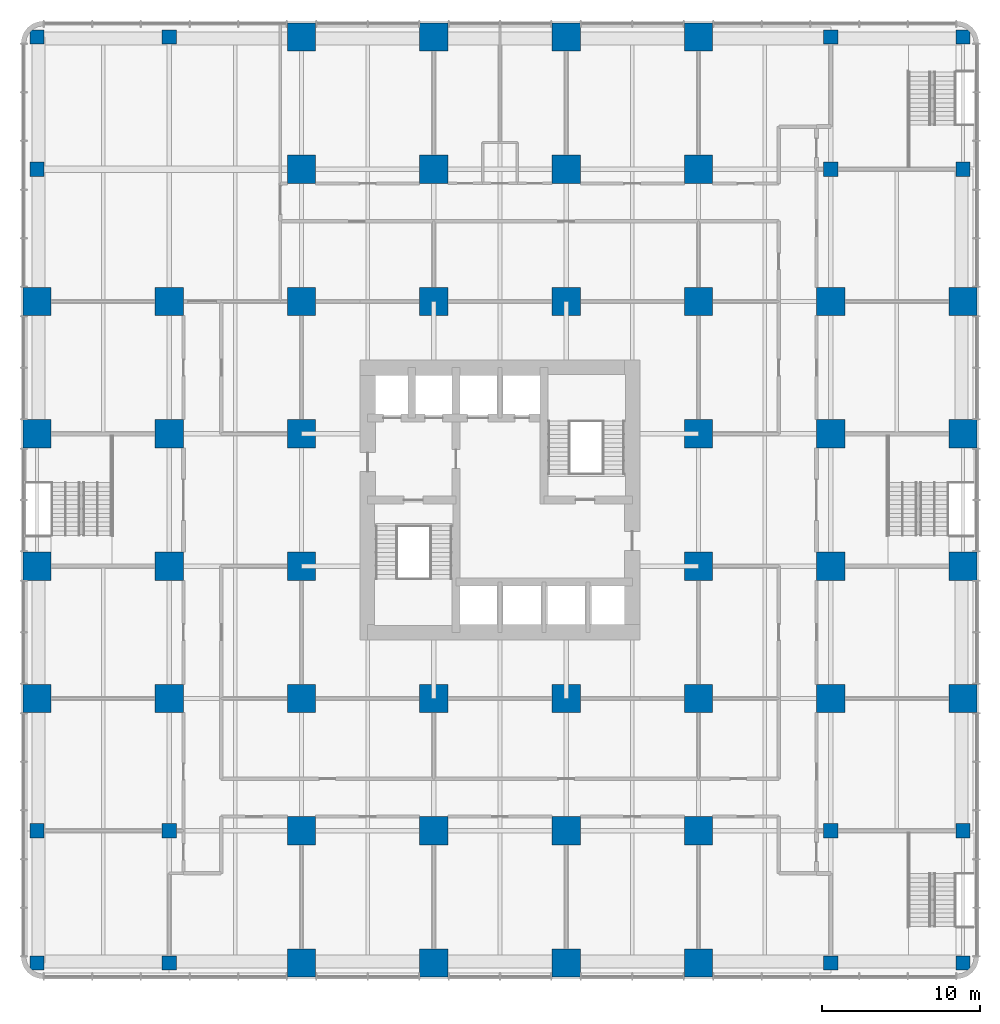
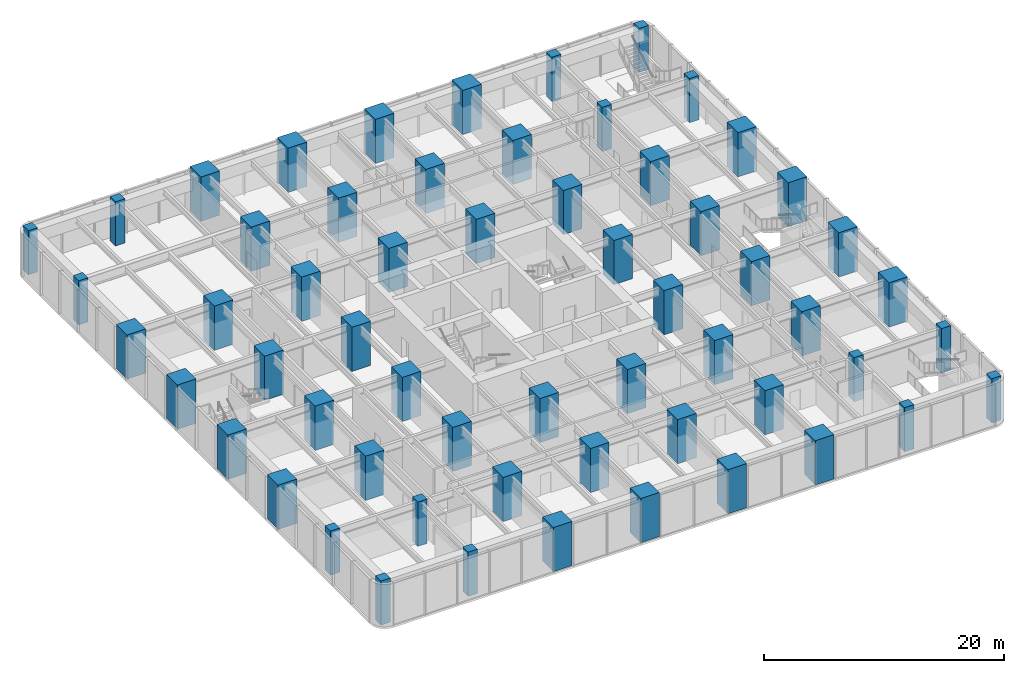
# One storey, part 1 of 17: 59 columns.
"""IFC4 building model written with IfcOpenShell, lengths in metres."""

import ifcopenshell
import ifcopenshell.guid

model = None  # the IFC model being written
_history = None  # IfcOwnerHistory: only IFC2X3 demands one
_inside = {}  # id of a spatial element -> (the spatial element, [elements in it])
_under = {}  # id of a project, library or spatial element -> (it, [spatial elements below it])
_declared = {}  # id of a project -> (the project, [libraries it declares])
_typed = {}  # id of a type object -> (the type object, [elements of that type])
_made_of = {}  # id of a material, layer set ... -> (it, [elements and type objects made of it])


def new_model(schema):
    """Start an empty IFC model of exactly this schema.

    Asked for "IFC4X3", IfcOpenShell would pick the latest addendum, in which some entities
    have other attributes; the version numbers below select the first issue.
    IFC2X3 requires an IfcOwnerHistory on every rooted entity: one is made here for all.
    """
    global model, _history
    if schema == "IFC4X3":
        model = ifcopenshell.file(schema_version=(4, 3, 0, 0))
    else:
        model = ifcopenshell.file(schema=schema)
    _inside.clear()
    _under.clear()
    _declared.clear()
    _typed.clear()
    _made_of.clear()
    _history = None
    if model.schema == "IFC2X3":
        org = make("IfcOrganization", Name="unknown")
        user = make(
            "IfcPersonAndOrganization",
            ThePerson=make("IfcPerson", FamilyName="unknown"),
            TheOrganization=org,
        )
        app = make(
            "IfcApplication",
            ApplicationDeveloper=org,
            Version="unknown",
            ApplicationFullName="unknown",
            ApplicationIdentifier="unknown",
        )
        _history = make(
            "IfcOwnerHistory",
            OwningUser=user,
            OwningApplication=app,
            ChangeAction="ADDED",
            CreationDate=0,
        )
    return model


def make(cls, **values):
    """One entity of the class cls with the attributes given. An attribute that is None is left unset."""
    return model.create_entity(
        cls, **{name: value for name, value in values.items() if value is not None}
    )


def rooted(cls, **values):
    """An entity with a GlobalId (a new one), such as an element, a storey or a relation."""
    return make(cls, GlobalId=ifcopenshell.guid.new(), OwnerHistory=_history, **values)


def si_unit(unit_type, name, prefix=None):
    """IfcSIUnit, for example si_unit("LENGTHUNIT", "METRE", prefix="MILLI")."""
    return make("IfcSIUnit", UnitType=unit_type, Prefix=prefix, Name=name)


def assignment(units):
    """IfcUnitAssignment: the units of a project."""
    return None if units is None else make("IfcUnitAssignment", Units=units)


def point(xyz):
    """IfcCartesianPoint."""
    return None if xyz is None else make("IfcCartesianPoint", Coordinates=xyz)


def direction(xyz):
    """IfcDirection."""
    return None if xyz is None else make("IfcDirection", DirectionRatios=xyz)


def frame(location, z_axis=None, x_axis=None):
    """IfcAxis2Placement3D, a coordinate frame: its origin and axes. An axis left out is left unset."""
    return make(
        "IfcAxis2Placement3D",
        Location=point(location),
        Axis=direction(z_axis),
        RefDirection=direction(x_axis),
    )


def frame_2d(location, x_axis=None):
    """IfcAxis2Placement2D, a coordinate frame in the plane: its origin and x axis."""
    return make(
        "IfcAxis2Placement2D", Location=point(location), RefDirection=direction(x_axis)
    )


def origin():
    """The frame at (0, 0, 0) with its axes left unset."""
    return frame((0.0, 0.0, 0.0))


def origin_2d():
    """The frame at (0, 0) in the plane with its x axis left unset."""
    return frame_2d((0.0, 0.0))


def place(relative_to, where):
    """IfcLocalPlacement: puts the frame where relative to a parent placement (None: the world)."""
    return make(
        "IfcLocalPlacement", PlacementRelTo=relative_to, RelativePlacement=where
    )


def context(
    kind, dimensions, precision=None, world=None, true_north=None, identifier=None
):
    """IfcGeometricRepresentationContext, for example the 3D "Model" context."""
    return make(
        "IfcGeometricRepresentationContext",
        ContextIdentifier=identifier,
        ContextType=kind,
        CoordinateSpaceDimension=dimensions,
        Precision=precision,
        WorldCoordinateSystem=world,
        TrueNorth=true_north,
    )


def subcontext(parent, identifier, kind, view, scale=None):
    """IfcGeometricRepresentationSubContext, for example "Body" below "Model"."""
    return make(
        "IfcGeometricRepresentationSubContext",
        ContextIdentifier=identifier,
        ContextType=kind,
        ParentContext=parent,
        TargetScale=scale,
        TargetView=view,
    )


def project(units=None, contexts=None):
    """IfcProject with its units and contexts."""
    return rooted(
        "IfcProject",
        Name="project",
        RepresentationContexts=contexts,
        UnitsInContext=assignment(units),
    )


def spatial(cls, under=None, at=None, **own):
    """A site, building, storey or space (cls), placed at a placement, below another one or the project."""
    s = rooted(cls, ObjectPlacement=at, **own)
    if under is not None:
        _under.setdefault(under.id(), (under, []))[1].append(s)
    return s


def profile(cls, at=None, kind="AREA", **sizes):
    """A parametric profile (cls). Its sizes go by their IFC names, for example OverallWidth=200.0."""
    return make(cls, ProfileType=kind, Position=at, **sizes)


def rectangle(**sizes):
    """IfcRectangleProfileDef."""
    return profile("IfcRectangleProfileDef", **sizes)


def extrude(swept, where, along, depth):
    """IfcExtrudedAreaSolid: the profile swept, set in the frame where, extruded along a direction by depth."""
    return make(
        "IfcExtrudedAreaSolid",
        SweptArea=swept,
        Position=where,
        ExtrudedDirection=direction(along),
        Depth=depth,
    )


def shape(context_of_items, identifier, shape_type, items):
    """IfcShapeRepresentation: the items that make up one representation, for example the "Body"."""
    return make(
        "IfcShapeRepresentation",
        ContextOfItems=context_of_items,
        RepresentationIdentifier=identifier,
        RepresentationType=shape_type,
        Items=items,
    )


def material(Name=None, Category=None):
    """IfcMaterial."""
    return make("IfcMaterial", Name=Name, Category=Category)


def material_profile(
    of_material, cross_section, Name=None, Category=None, Priority=None
):
    """IfcMaterialProfile: a cross section and its material."""
    return make(
        "IfcMaterialProfile",
        Name=Name,
        Material=of_material,
        Profile=cross_section,
        Priority=Priority,
        Category=Category,
    )


def profile_set(profiles, Name=None, composite=None):
    """IfcMaterialProfileSet."""
    return make(
        "IfcMaterialProfileSet",
        Name=Name,
        MaterialProfiles=profiles,
        CompositeProfile=composite,
    )


def made_of(thing, what):
    """Note that an element or type object is made of a material, layer set ...; save() writes the relation."""
    if what is not None:
        _made_of.setdefault(what.id(), (what, []))[1].append(thing)
    return thing


def type_object(cls, material=None, **own):
    """A type object (cls), such as IfcWallType, which elements share."""
    return made_of(rooted(cls, **own), material)


def element(
    cls,
    number,
    at=None,
    inside=None,
    cuts=None,
    type_object=None,
    material=None,
    context=None,
    identifier="Body",
    shape_type=None,
    held_by="IfcProductDefinitionShape",
    body=None,
    shapes=None,
    **own,
):
    """One element of the class cls, such as IfcWall. Its Tag is "e" and its number.

    at: its placement. inside: the storey or other place that contains it. cuts: it is an
    opening in that element (IfcRelVoidsElement). A single representation is given by context,
    identifier, shape_type and body (its items); several are given by shapes. held_by: the class
    of the entity that holds the representations. save() writes the other relations.
    """
    e = rooted(cls, Tag="e%d" % number, ObjectPlacement=at, **own)
    if body is not None:
        shapes = [shape(context, identifier, shape_type, body)]
    if shapes is not None:
        e.Representation = make(held_by, Representations=shapes)
    if inside is not None:
        _inside.setdefault(inside.id(), (inside, []))[1].append(e)
    if cuts is not None:
        rooted(
            "IfcRelVoidsElement", RelatingBuildingElement=cuts, RelatedOpeningElement=e
        )
    if type_object is not None:
        _typed.setdefault(type_object.id(), (type_object, []))[1].append(e)
    return made_of(e, material)


def aggregate(whole, parts):
    """IfcRelAggregates: a whole, such as a stair, and the parts it consists of."""
    return rooted("IfcRelAggregates", RelatingObject=whole, RelatedObjects=parts)


def save(model, path):
    """Write the relations noted so far, then the file.

    IfcRelAggregates (storeys below a building ...), IfcRelContainedInSpatialStructure (elements
    in a storey), IfcRelDefinesByType, IfcRelAssociatesMaterial and IfcRelDeclares: one each for
    every whole, place, type object, material and project.
    """
    for whole, parts in _under.values():
        aggregate(whole, parts)
    for where, things in _inside.values():
        rooted(
            "IfcRelContainedInSpatialStructure",
            RelatedElements=things,
            RelatingStructure=where,
        )
    for kind, things in _typed.values():
        rooted("IfcRelDefinesByType", RelatedObjects=things, RelatingType=kind)
    for what, things in _made_of.values():
        rooted("IfcRelAssociatesMaterial", RelatedObjects=things, RelatingMaterial=what)
    for by, libraries in _declared.values():
        rooted("IfcRelDeclares", RelatingContext=by, RelatedDefinitions=libraries)
    model.write(path)


model = new_model("IFC4")

# Units and contexts
model_context = context("Model", 3, precision=1e-05, world=origin(), true_north=direction((0.0, 1.0)))
body_context = subcontext(model_context, "Body", "Model", "MODEL_VIEW")
ifc_project = project(units=[si_unit("LENGTHUNIT", "METRE"), si_unit("AREAUNIT", "SQUARE_METRE"), si_unit("VOLUMEUNIT", "CUBIC_METRE"), si_unit("PLANEANGLEUNIT", "RADIAN"), si_unit("MASSUNIT", "GRAM", prefix="KILO")], contexts=[model_context])

# Site, building, storey
site_placement = place(None, origin())
site = spatial("IfcSite", under=ifc_project, at=site_placement, CompositionType="ELEMENT")
building_placement = place(site_placement, origin())
building = spatial("IfcBuilding", under=site, at=building_placement, Name="Torre Alcanfor", CompositionType="ELEMENT")
storey_placement = place(building_placement, frame((0.0, 0.0, 19.5)))
storey = spatial("IfcBuildingStorey", under=building, at=storey_placement, Name="L04", CompositionType="ELEMENT", Elevation=19.5)

# Columns
ifc_material_1 = material(Name="Concrete f'c 70 MPa", Category="concrete")
ifc_material_profile_1 = material_profile(ifc_material_1, rectangle(XDim=1.800048828125, YDim=1.800048828125, at=origin_2d()), Name="1800x1800")
ifc_profile_set_1 = profile_set([ifc_material_profile_1], Name="Concrete f'c 70 MPa")
column_type_1 = type_object("IfcColumnType", Name="RC column 1800x1800 f'c70", PredefinedType="COLUMN", material=ifc_profile_set_1)
for number, where, z_axis, x_axis, name in (
    (1, (0.0, 16.800048828125, 0.0), (0.0, 0.0, 1.0), (1.0, 0.0, 0.0), "Column 1/E L04"),
    (2, (0.0, 25.199951171875, 0.0), (0.0, 0.0, 1.0), (1.0, 0.0, 0.0), "Column 1/F L04"),
    (3, (0.0, 33.60009765625, 0.0), (0.0, 0.0, 1.0), (1.0, 0.0, 0.0), "Column 1/G L04"),
    (4, (0.0, 42.0, 0.0), (0.0, 0.0, 1.0), (1.0, 0.0, 0.0), "Column 1/H L04"),
    (5, (8.39990234375, 16.800048828125, 0.0), (0.0, 0.0, 1.0), (1.0, 0.0, 0.0), "Column 2/E L04"),
    (6, (8.39990234375, 25.199951171875, 0.0), (0.0, 0.0, 1.0), (1.0, 0.0, 0.0), "Column 2/F L04"),
    (7, (8.39990234375, 33.60009765625, 0.0), (0.0, 0.0, 1.0), (1.0, 0.0, 0.0), "Column 2/G L04"),
    (8, (8.39990234375, 42.0, 0.0), (0.0, 0.0, 1.0), (1.0, 0.0, 0.0), "Column 2/H L04"),
    (9, (16.800048828125, 0.0, 0.0), (0.0, 0.0, 1.0), (1.0, 0.0, 0.0), "Column 3/C L04"),
    (10, (16.800048828125, 8.39990234375, 0.0), (0.0, 0.0, 1.0), (1.0, 0.0, 0.0), "Column 3/D L04"),
    (11, (16.800048828125, 16.800048828125, 0.0), (0.0, 0.0, 1.0), (1.0, 0.0, 0.0), "Column 3/E L04"),
    (12, (16.800048828125, 25.199951171875, 0.0), (0.0, 0.0, 1.0), (1.0, 0.0, 0.0), "Column 3/F L04"),
    (13, (16.800048828125, 33.60009765625, 0.0), (0.0, 0.0, 1.0), (1.0, 0.0, 0.0), "Column 3/G L04"),
    (14, (16.800048828125, 42.0, 0.0), (0.0, 0.0, 1.0), (1.0, 0.0, 0.0), "Column 3/H L04"),
    (15, (16.800048828125, 50.39990234375, 0.0), (0.0, 0.0, 1.0), (1.0, 0.0, 0.0), "Column 3/J L04"),
    (16, (16.800048828125, 58.800048828125, 0.0), (0.0, 0.0, 1.0), (1.0, 0.0, 0.0), "Column 3/K L04"),
    (17, (25.199951171875, 0.0, 0.0), (0.0, 0.0, 1.0), (1.0, 0.0, 0.0), "Column 4/C L04"),
    (18, (25.199951171875, 8.39990234375, 0.0), (0.0, 0.0, 1.0), (1.0, 0.0, 0.0), "Column 4/D L04"),
    (19, (25.199951171875, 16.800048828125, 0.0), (0.0, 0.0, 1.0), (1.0, 0.0, 0.0), "Column 4/E L04"),
    (20, (25.199951171875, 42.0, 0.0), (0.0, 0.0, 1.0), (1.0, 0.0, 0.0), "Column 4/H L04"),
    (21, (25.199951171875, 50.39990234375, 0.0), (0.0, 0.0, 1.0), (1.0, 0.0, 0.0), "Column 4/J L04"),
    (22, (25.199951171875, 58.800048828125, 0.0), (0.0, 0.0, 1.0), (1.0, 0.0, 0.0), "Column 4/K L04"),
    (23, (33.60009765625, 0.0, 0.0), (0.0, 0.0, 1.0), (1.0, 0.0, 0.0), "Column 5/C L04"),
    (24, (33.60009765625, 8.39990234375, 0.0), (0.0, 0.0, 1.0), (1.0, 0.0, 0.0), "Column 5/D L04"),
    (25, (33.60009765625, 16.800048828125, 0.0), (0.0, 0.0, 1.0), (1.0, 0.0, 0.0), "Column 5/E L04"),
    (26, (33.60009765625, 42.0, 0.0), (0.0, 0.0, 1.0), (1.0, 0.0, 0.0), "Column 5/H L04"),
    (27, (33.60009765625, 50.39990234375, 0.0), (0.0, 0.0, 1.0), (1.0, 0.0, 0.0), "Column 5/J L04"),
    (28, (33.60009765625, 58.800048828125, 0.0), (0.0, 0.0, 1.0), (1.0, 0.0, 0.0), "Column 5/K L04"),
    (29, (42.0, 0.0, 0.0), (0.0, 0.0, 1.0), (1.0, 0.0, 0.0), "Column 6/C L04"),
    (30, (42.0, 8.39990234375, 0.0), (0.0, 0.0, 1.0), (1.0, 0.0, 0.0), "Column 6/D L04"),
    (31, (42.0, 16.800048828125, 0.0), (0.0, 0.0, 1.0), (1.0, 0.0, 0.0), "Column 6/E L04"),
    (32, (42.0, 25.199951171875, 0.0), (0.0, 0.0, 1.0), (1.0, 0.0, 0.0), "Column 6/F L04"),
    (33, (42.0, 33.60009765625, 0.0), (0.0, 0.0, 1.0), (1.0, 0.0, 0.0), "Column 6/G L04"),
    (34, (42.0, 42.0, 0.0), (0.0, 0.0, 1.0), (1.0, 0.0, 0.0), "Column 6/H L04"),
    (35, (42.0, 50.39990234375, 0.0), (0.0, 0.0, 1.0), (1.0, 0.0, 0.0), "Column 6/J L04"),
    (36, (42.0, 58.800048828125, 0.0), (0.0, 0.0, 1.0), (1.0, 0.0, 0.0), "Column 6/K L04"),
    (37, (50.39990234375, 16.800048828125, 0.0), (0.0, 0.0, 1.0), (1.0, 0.0, 0.0), "Column 7/E L04"),
    (38, (50.39990234375, 25.199951171875, 0.0), (0.0, 0.0, 1.0), (1.0, 0.0, 0.0), "Column 7/F L04"),
    (39, (50.39990234375, 33.60009765625, 0.0), (0.0, 0.0, 1.0), (1.0, 0.0, 0.0), "Column 7/G L04"),
    (40, (50.39990234375, 42.0, 0.0), (0.0, 0.0, 1.0), (1.0, 0.0, 0.0), "Column 7/H L04"),
    (41, (58.800048828125, 16.800048828125, 0.0), (0.0, 0.0, 1.0), (1.0, 0.0, 0.0), "Column 8/E L04"),
    (42, (58.800048828125, 25.199951171875, 0.0), (0.0, 0.0, 1.0), (1.0, 0.0, 0.0), "Column 8/F L04"),
    (43, (58.800048828125, 33.60009765625, 0.0), (0.0, 0.0, 1.0), (1.0, 0.0, 0.0), "Column 8/G L04"),
    (44, (58.800048828125, 42.0, 0.0), (0.0, 0.0, 1.0), (1.0, 0.0, 0.0), "Column 8/H L04"),
):
    element("IfcColumn", number, at=place(storey_placement, frame(where, z_axis=z_axis, x_axis=x_axis)), inside=storey, type_object=column_type_1, Name=name, PredefinedType="COLUMN", context=body_context, shape_type="SweptSolid", body=[
        extrude(rectangle(XDim=1.800048828125, YDim=1.800048828125, at=origin_2d()), origin(), (0.0, 0.0, 1.0), 4.5),
    ])
ifc_material_2 = material(Name="Concrete f'c 70 MPa", Category="concrete")
ifc_material_profile_2 = material_profile(ifc_material_2, rectangle(XDim=0.89990234375, YDim=0.89990234375, at=origin_2d()), Name="900x900")
ifc_profile_set_2 = profile_set([ifc_material_profile_2], Name="Concrete f'c 70 MPa")
column_type_2 = type_object("IfcColumnType", Name="RC column 900x900 f'c70", PredefinedType="COLUMN", material=ifc_profile_set_2)
for number, where, z_axis, x_axis, name in (
    (45, (0.0, 0.0, 0.0), (0.0, 0.0, 1.0), (1.0, 0.0, 0.0), "Column 1/C L04"),
    (46, (0.0, 8.39990234375, 0.0), (0.0, 0.0, 1.0), (1.0, 0.0, 0.0), "Column 1/D L04"),
    (47, (0.0, 50.39990234375, 0.0), (0.0, 0.0, 1.0), (1.0, 0.0, 0.0), "Column 1/J L04"),
    (48, (0.0, 58.800048828125, 0.0), (0.0, 0.0, 1.0), (1.0, 0.0, 0.0), "Column 1/K L04"),
    (49, (8.39990234375, 0.0, 0.0), (0.0, 0.0, 1.0), (1.0, 0.0, 0.0), "Column 2/C L04"),
    (50, (8.39990234375, 8.39990234375, 0.0), (0.0, 0.0, 1.0), (1.0, 0.0, 0.0), "Column 2/D L04"),
    (51, (8.39990234375, 58.800048828125, 0.0), (0.0, 0.0, 1.0), (1.0, 0.0, 0.0), "Column 2/K L04"),
    (52, (50.39990234375, 0.0, 0.0), (0.0, 0.0, 1.0), (1.0, 0.0, 0.0), "Column 7/C L04"),
    (53, (50.39990234375, 8.39990234375, 0.0), (0.0, 0.0, 1.0), (1.0, 0.0, 0.0), "Column 7/D L04"),
    (54, (50.39990234375, 50.39990234375, 0.0), (0.0, 0.0, 1.0), (1.0, 0.0, 0.0), "Column 7/J L04"),
    (55, (50.39990234375, 58.800048828125, 0.0), (0.0, 0.0, 1.0), (1.0, 0.0, 0.0), "Column 7/K L04"),
    (56, (58.800048828125, 0.0, 0.0), (0.0, 0.0, 1.0), (1.0, 0.0, 0.0), "Column 8/C L04"),
    (57, (58.800048828125, 8.39990234375, 0.0), (0.0, 0.0, 1.0), (1.0, 0.0, 0.0), "Column 8/D L04"),
    (58, (58.800048828125, 50.39990234375, 0.0), (0.0, 0.0, 1.0), (1.0, 0.0, 0.0), "Column 8/J L04"),
    (59, (58.800048828125, 58.800048828125, 0.0), (0.0, 0.0, 1.0), (1.0, 0.0, 0.0), "Column 8/K L04"),
):
    element("IfcColumn", number, at=place(storey_placement, frame(where, z_axis=z_axis, x_axis=x_axis)), inside=storey, type_object=column_type_2, Name=name, PredefinedType="COLUMN", context=body_context, shape_type="SweptSolid", body=[
        extrude(rectangle(XDim=0.89990234375, YDim=0.89990234375, at=origin_2d()), origin(), (0.0, 0.0, 1.0), 4.5),
    ])

save(model, "model.ifc")
